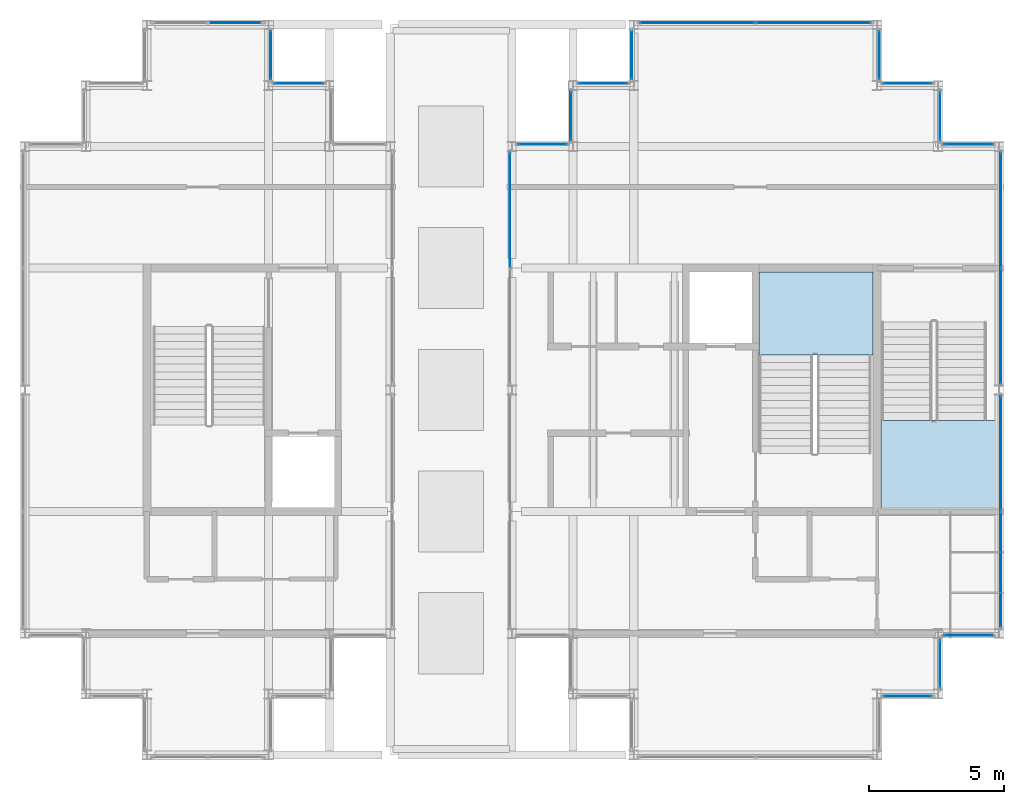
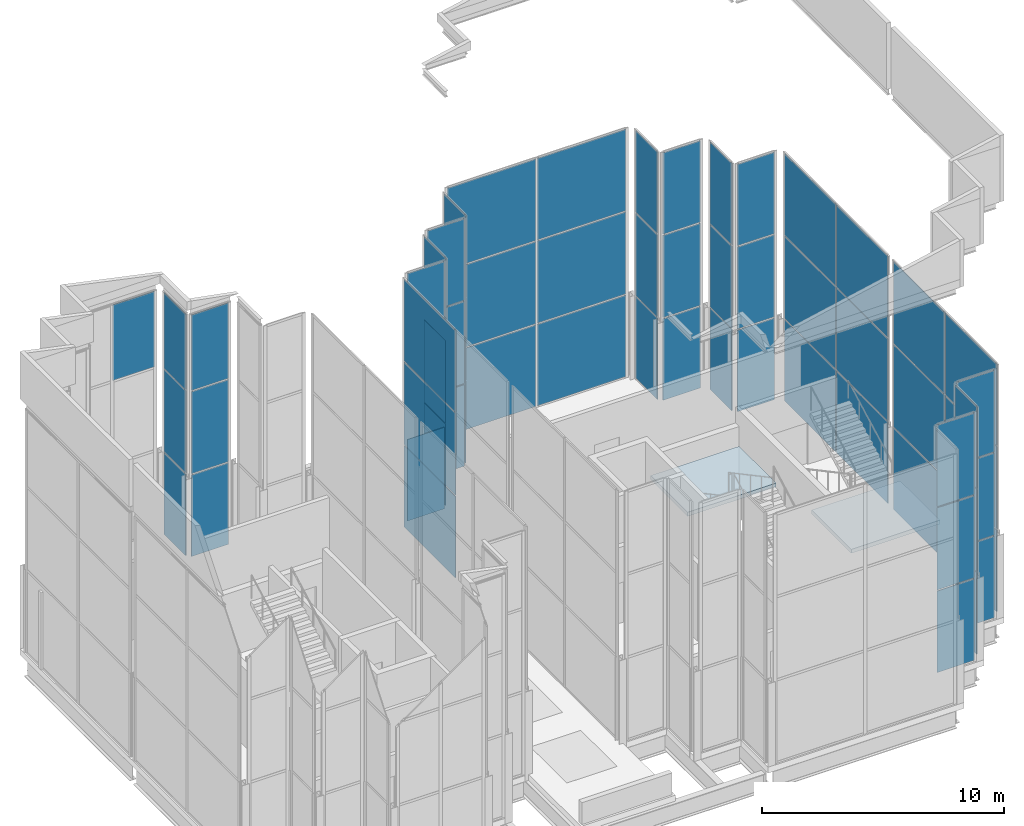
# One storey, part 13 of 23: 61 plates, 2 slabs, 20 elements without a shape of their own.
"""IFC4 building model written with IfcOpenShell, lengths in metres."""

from ifc_helpers import new_model, si_unit, direction, frame, origin, origin_2d, place, context, subcontext, project, spatial, polyline, rectangle, outline, extrude, material, layer, layer_set, type_object, element, aggregate, save


model = new_model("IFC4")

# Units and contexts
model_context = context("Model", 3, precision=1e-05, world=origin(), true_north=direction((0.0, 1.0)))
body_context = subcontext(model_context, "Body", "Model", "MODEL_VIEW")
ifc_project = project(units=[si_unit("LENGTHUNIT", "METRE"), si_unit("AREAUNIT", "SQUARE_METRE"), si_unit("VOLUMEUNIT", "CUBIC_METRE"), si_unit("PLANEANGLEUNIT", "RADIAN"), si_unit("MASSUNIT", "GRAM", prefix="KILO")], contexts=[model_context])

# Site, building, storey
site_placement = place(None, origin())
site = spatial("IfcSite", under=ifc_project, at=site_placement, CompositionType="ELEMENT")
building_placement = place(site_placement, origin())
building = spatial("IfcBuilding", under=site, at=building_placement, Name="Caravel Reach Hotel and Residences", CompositionType="ELEMENT")
storey_placement = place(building_placement, frame((0.0, 0.0, 312.800048828125)))
storey = spatial("IfcBuildingStorey", under=building, at=storey_placement, Name="L79", CompositionType="ELEMENT", Elevation=312.800048828125)

# Curtain wall, plates
ifc_material_1 = material(Name="Dark low-e glazing in black aluminium frame", Category="aluminium")
ifc_layer_1 = layer(ifc_material_1, 0.199951171875)
ifc_layer_set_1 = layer_set([ifc_layer_1], Name="CW4 Crown glazing")
curtain_wall_type = type_object("IfcCurtainWallType", Name="CW4 Crown glazing", PredefinedType="NOTDEFINED", material=ifc_layer_set_1)
curtain_wall_1_placement = place(storey_placement, origin())
curtain_wall_1 = element("IfcCurtainWall", 1, at=curtain_wall_1_placement, inside=storey, type_object=curtain_wall_type, Name="Crown glazing b0", PredefinedType="NOTDEFINED")
ifc_material_2 = material(Name="Dark laminated low-e glass", Category="glass")
ifc_layer_2 = layer(ifc_material_2, 0.031982421875)
ifc_layer_set_2 = layer_set([ifc_layer_2], Name="CW glass panel 32")
plate_type = type_object("IfcPlateType", Name="CW glass panel 32", PredefinedType="CURTAIN_PANEL", material=ifc_layer_set_2)
plate_1_placement = place(storey_placement, frame((46.125, 15.675048828125, 0.06005859375), z_axis=(0.0, 0.0, 1.0), x_axis=(1.0, 0.0, 0.0)))
plate_1 = element("IfcPlate", 2, at=plate_1_placement, type_object=plate_type, Name="CW4 panel 1.1", PredefinedType="CURTAIN_PANEL", context=body_context, shape_type="SweptSolid", body=[
    extrude(rectangle(XDim=1.780029296875, YDim=0.031982421875, at=origin_2d()), origin(), (0.0, 0.0, 1.0), 4.110107421875),
])
plate_2_placement = place(storey_placement, frame((46.125, 15.675048828125, 4.22998046875), z_axis=(0.0, 0.0, 1.0), x_axis=(1.0, 0.0, 0.0)))
plate_2 = element("IfcPlate", 3, at=plate_2_placement, type_object=plate_type, Name="CW4 panel 1.2", PredefinedType="CURTAIN_PANEL", context=body_context, shape_type="SweptSolid", body=[
    extrude(rectangle(XDim=1.780029296875, YDim=0.031982421875, at=origin_2d()), origin(), (0.0, 0.0, 1.0), 4.139892578125),
])
plate_3_placement = place(storey_placement, frame((46.125, 15.675048828125, 8.4296875), z_axis=(0.0, 0.0, 1.0), x_axis=(1.0, 0.0, 0.0)))
plate_3 = element("IfcPlate", 4, at=plate_3_placement, type_object=plate_type, Name="CW4 panel 1.3", PredefinedType="CURTAIN_PANEL", context=body_context, shape_type="SweptSolid", body=[
    extrude(rectangle(XDim=1.780029296875, YDim=0.031982421875, at=origin_2d()), origin(), (0.0, 0.0, 1.0), 4.110107421875),
])
aggregate(curtain_wall_1, [plate_1, plate_2, plate_3])

curtain_wall_2_placement = place(storey_placement, origin())
curtain_wall_2 = element("IfcCurtainWall", 5, at=curtain_wall_2_placement, inside=storey, type_object=curtain_wall_type, Name="Crown glazing b0", PredefinedType="NOTDEFINED")
plate_4_placement = place(storey_placement, frame((47.324951171875, 16.875, 0.06005859375), z_axis=(0.0, 0.0, 1.0), x_axis=(0.0, 1.0, 0.0)))
plate_4 = element("IfcPlate", 6, at=plate_4_placement, type_object=plate_type, Name="CW4 panel 1.1", PredefinedType="CURTAIN_PANEL", context=body_context, shape_type="SweptSolid", body=[
    extrude(rectangle(XDim=1.780029296875, YDim=0.031982421875, at=origin_2d()), origin(), (0.0, 0.0, 1.0), 4.110107421875),
])
plate_5_placement = place(storey_placement, frame((47.324951171875, 16.875, 4.22998046875), z_axis=(0.0, 0.0, 1.0), x_axis=(0.0, 1.0, 0.0)))
plate_5 = element("IfcPlate", 7, at=plate_5_placement, type_object=plate_type, Name="CW4 panel 1.2", PredefinedType="CURTAIN_PANEL", context=body_context, shape_type="SweptSolid", body=[
    extrude(rectangle(XDim=1.780029296875, YDim=0.031982421875, at=origin_2d()), origin(), (0.0, 0.0, 1.0), 4.139892578125),
])
plate_6_placement = place(storey_placement, frame((47.324951171875, 16.875, 8.4296875), z_axis=(0.0, 0.0, 1.0), x_axis=(0.0, 1.0, 0.0)))
plate_6 = element("IfcPlate", 8, at=plate_6_placement, type_object=plate_type, Name="CW4 panel 1.3", PredefinedType="CURTAIN_PANEL", context=body_context, shape_type="SweptSolid", body=[
    extrude(rectangle(XDim=1.780029296875, YDim=0.031982421875, at=origin_2d()), origin(), (0.0, 0.0, 1.0), 4.110107421875),
])
aggregate(curtain_wall_2, [plate_4, plate_5, plate_6])

curtain_wall_3_placement = place(storey_placement, origin())
curtain_wall_3 = element("IfcCurtainWall", 9, at=curtain_wall_3_placement, inside=storey, type_object=curtain_wall_type, Name="Crown glazing b0", PredefinedType="NOTDEFINED")
plate_7_placement = place(storey_placement, frame((48.375, 17.925048828125, 0.06005859375), z_axis=(0.0, 0.0, 1.0), x_axis=(1.0, 0.0, 0.0)))
plate_7 = element("IfcPlate", 10, at=plate_7_placement, type_object=plate_type, Name="CW4 panel 1.1", PredefinedType="CURTAIN_PANEL", context=body_context, shape_type="SweptSolid", body=[
    extrude(rectangle(XDim=1.780029296875, YDim=0.031982421875, at=origin_2d()), origin(), (0.0, 0.0, 1.0), 4.110107421875),
])
plate_8_placement = place(storey_placement, frame((48.375, 17.925048828125, 4.22998046875), z_axis=(0.0, 0.0, 1.0), x_axis=(1.0, 0.0, 0.0)))
plate_8 = element("IfcPlate", 11, at=plate_8_placement, type_object=plate_type, Name="CW4 panel 1.2", PredefinedType="CURTAIN_PANEL", context=body_context, shape_type="SweptSolid", body=[
    extrude(rectangle(XDim=1.780029296875, YDim=0.031982421875, at=origin_2d()), origin(), (0.0, 0.0, 1.0), 4.139892578125),
])
plate_9_placement = place(storey_placement, frame((48.375, 17.925048828125, 8.4296875), z_axis=(0.0, 0.0, 1.0), x_axis=(1.0, 0.0, 0.0)))
plate_9 = element("IfcPlate", 12, at=plate_9_placement, type_object=plate_type, Name="CW4 panel 1.3", PredefinedType="CURTAIN_PANEL", context=body_context, shape_type="SweptSolid", body=[
    extrude(rectangle(XDim=1.780029296875, YDim=0.031982421875, at=origin_2d()), origin(), (0.0, 0.0, 1.0), 4.110107421875),
])
aggregate(curtain_wall_3, [plate_7, plate_8, plate_9])

curtain_wall_4_placement = place(storey_placement, origin())
curtain_wall_4 = element("IfcCurtainWall", 13, at=curtain_wall_4_placement, inside=storey, type_object=curtain_wall_type, Name="Crown glazing b0", PredefinedType="NOTDEFINED")
plate_10_placement = place(storey_placement, frame((49.574951171875, 20.3525390625, 0.06005859375), z_axis=(0.0, 0.0, 1.0), x_axis=(0.0, 1.0, 0.0)))
plate_10 = element("IfcPlate", 14, at=plate_10_placement, type_object=plate_type, Name="CW4 panel 1.1", PredefinedType="CURTAIN_PANEL", context=body_context, shape_type="SweptSolid", body=[
    extrude(rectangle(XDim=4.235107421875, YDim=0.031982421875, at=origin_2d()), origin(), (0.0, 0.0, 1.0), 4.110107421875),
])
plate_11_placement = place(storey_placement, frame((49.574951171875, 20.3525390625, 4.22998046875), z_axis=(0.0, 0.0, 1.0), x_axis=(0.0, 1.0, 0.0)))
plate_11 = element("IfcPlate", 15, at=plate_11_placement, type_object=plate_type, Name="CW4 panel 1.2", PredefinedType="CURTAIN_PANEL", context=body_context, shape_type="SweptSolid", body=[
    extrude(rectangle(XDim=4.235107421875, YDim=0.031982421875, at=origin_2d()), origin(), (0.0, 0.0, 1.0), 4.139892578125),
])
plate_12_placement = place(storey_placement, frame((49.574951171875, 20.3525390625, 8.4296875), z_axis=(0.0, 0.0, 1.0), x_axis=(0.0, 1.0, 0.0)))
plate_12 = element("IfcPlate", 16, at=plate_12_placement, type_object=plate_type, Name="CW4 panel 1.3", PredefinedType="CURTAIN_PANEL", context=body_context, shape_type="SweptSolid", body=[
    extrude(rectangle(XDim=4.235107421875, YDim=0.031982421875, at=origin_2d()), origin(), (0.0, 0.0, 1.0), 4.110107421875),
])
plate_13_placement = place(storey_placement, frame((49.574951171875, 24.6474609375, 0.06005859375), z_axis=(0.0, 0.0, 1.0), x_axis=(0.0, 1.0, 0.0)))
plate_13 = element("IfcPlate", 17, at=plate_13_placement, type_object=plate_type, Name="CW4 panel 2.1", PredefinedType="CURTAIN_PANEL", context=body_context, shape_type="SweptSolid", body=[
    extrude(rectangle(XDim=4.235107421875, YDim=0.031982421875, at=origin_2d()), origin(), (0.0, 0.0, 1.0), 4.110107421875),
])
plate_14_placement = place(storey_placement, frame((49.574951171875, 24.6474609375, 4.22998046875), z_axis=(0.0, 0.0, 1.0), x_axis=(0.0, 1.0, 0.0)))
plate_14 = element("IfcPlate", 18, at=plate_14_placement, type_object=plate_type, Name="CW4 panel 2.2", PredefinedType="CURTAIN_PANEL", context=body_context, shape_type="SweptSolid", body=[
    extrude(rectangle(XDim=4.235107421875, YDim=0.031982421875, at=origin_2d()), origin(), (0.0, 0.0, 1.0), 4.139892578125),
])
plate_15_placement = place(storey_placement, frame((49.574951171875, 24.6474609375, 8.4296875), z_axis=(0.0, 0.0, 1.0), x_axis=(0.0, 1.0, 0.0)))
plate_15 = element("IfcPlate", 19, at=plate_15_placement, type_object=plate_type, Name="CW4 panel 2.3", PredefinedType="CURTAIN_PANEL", context=body_context, shape_type="SweptSolid", body=[
    extrude(rectangle(XDim=4.235107421875, YDim=0.031982421875, at=origin_2d()), origin(), (0.0, 0.0, 1.0), 4.110107421875),
])
aggregate(curtain_wall_4, [plate_10, plate_11, plate_12, plate_13, plate_14, plate_15])

curtain_wall_5_placement = place(storey_placement, origin())
curtain_wall_5 = element("IfcCurtainWall", 20, at=curtain_wall_5_placement, inside=storey, type_object=curtain_wall_type, Name="Crown glazing b1", PredefinedType="NOTDEFINED")
plate_16_placement = place(storey_placement, frame((49.574951171875, 29.3525390625, 0.06005859375), z_axis=(0.0, 0.0, 1.0), x_axis=(0.0, 1.0, 0.0)))
plate_16 = element("IfcPlate", 21, at=plate_16_placement, type_object=plate_type, Name="CW4 panel 1.1", PredefinedType="CURTAIN_PANEL", context=body_context, shape_type="SweptSolid", body=[
    extrude(rectangle(XDim=4.235107421875, YDim=0.031982421875, at=origin_2d()), origin(), (0.0, 0.0, 1.0), 4.110107421875),
])
plate_17_placement = place(storey_placement, frame((49.574951171875, 29.3525390625, 4.22998046875), z_axis=(0.0, 0.0, 1.0), x_axis=(0.0, 1.0, 0.0)))
plate_17 = element("IfcPlate", 22, at=plate_17_placement, type_object=plate_type, Name="CW4 panel 1.2", PredefinedType="CURTAIN_PANEL", context=body_context, shape_type="SweptSolid", body=[
    extrude(rectangle(XDim=4.235107421875, YDim=0.031982421875, at=origin_2d()), origin(), (0.0, 0.0, 1.0), 4.139892578125),
])
plate_18_placement = place(storey_placement, frame((49.574951171875, 29.3525390625, 8.4296875), z_axis=(0.0, 0.0, 1.0), x_axis=(0.0, 1.0, 0.0)))
plate_18 = element("IfcPlate", 23, at=plate_18_placement, type_object=plate_type, Name="CW4 panel 1.3", PredefinedType="CURTAIN_PANEL", context=body_context, shape_type="SweptSolid", body=[
    extrude(rectangle(XDim=4.235107421875, YDim=0.031982421875, at=origin_2d()), origin(), (0.0, 0.0, 1.0), 4.110107421875),
])
plate_19_placement = place(storey_placement, frame((49.574951171875, 33.6474609375, 0.06005859375), z_axis=(0.0, 0.0, 1.0), x_axis=(0.0, 1.0, 0.0)))
plate_19 = element("IfcPlate", 24, at=plate_19_placement, type_object=plate_type, Name="CW4 panel 2.1", PredefinedType="CURTAIN_PANEL", context=body_context, shape_type="SweptSolid", body=[
    extrude(rectangle(XDim=4.235107421875, YDim=0.031982421875, at=origin_2d()), origin(), (0.0, 0.0, 1.0), 4.110107421875),
])
plate_20_placement = place(storey_placement, frame((49.574951171875, 33.6474609375, 4.22998046875), z_axis=(0.0, 0.0, 1.0), x_axis=(0.0, 1.0, 0.0)))
plate_20 = element("IfcPlate", 25, at=plate_20_placement, type_object=plate_type, Name="CW4 panel 2.2", PredefinedType="CURTAIN_PANEL", context=body_context, shape_type="SweptSolid", body=[
    extrude(rectangle(XDim=4.235107421875, YDim=0.031982421875, at=origin_2d()), origin(), (0.0, 0.0, 1.0), 4.139892578125),
])
plate_21_placement = place(storey_placement, frame((49.574951171875, 33.6474609375, 8.4296875), z_axis=(0.0, 0.0, 1.0), x_axis=(0.0, 1.0, 0.0)))
plate_21 = element("IfcPlate", 26, at=plate_21_placement, type_object=plate_type, Name="CW4 panel 2.3", PredefinedType="CURTAIN_PANEL", context=body_context, shape_type="SweptSolid", body=[
    extrude(rectangle(XDim=4.235107421875, YDim=0.031982421875, at=origin_2d()), origin(), (0.0, 0.0, 1.0), 4.110107421875),
])
aggregate(curtain_wall_5, [plate_16, plate_17, plate_18, plate_19, plate_20, plate_21])

curtain_wall_6_placement = place(storey_placement, origin())
curtain_wall_6 = element("IfcCurtainWall", 27, at=curtain_wall_6_placement, inside=storey, type_object=curtain_wall_type, Name="Crown glazing b0", PredefinedType="NOTDEFINED")
plate_22_placement = place(storey_placement, frame((48.375, 36.074951171875, 0.06005859375), z_axis=(0.0, 0.0, 1.0), x_axis=(-1.0, 0.0, 0.0)))
plate_22 = element("IfcPlate", 28, at=plate_22_placement, type_object=plate_type, Name="CW4 panel 1.1", PredefinedType="CURTAIN_PANEL", context=body_context, shape_type="SweptSolid", body=[
    extrude(rectangle(XDim=1.780029296875, YDim=0.031982421875, at=origin_2d()), origin(), (0.0, 0.0, 1.0), 4.110107421875),
])
plate_23_placement = place(storey_placement, frame((48.375, 36.074951171875, 4.22998046875), z_axis=(0.0, 0.0, 1.0), x_axis=(-1.0, 0.0, 0.0)))
plate_23 = element("IfcPlate", 29, at=plate_23_placement, type_object=plate_type, Name="CW4 panel 1.2", PredefinedType="CURTAIN_PANEL", context=body_context, shape_type="SweptSolid", body=[
    extrude(rectangle(XDim=1.780029296875, YDim=0.031982421875, at=origin_2d()), origin(), (0.0, 0.0, 1.0), 4.139892578125),
])
plate_24_placement = place(storey_placement, frame((48.375, 36.074951171875, 8.4296875), z_axis=(0.0, 0.0, 1.0), x_axis=(-1.0, 0.0, 0.0)))
plate_24 = element("IfcPlate", 30, at=plate_24_placement, type_object=plate_type, Name="CW4 panel 1.3", PredefinedType="CURTAIN_PANEL", context=body_context, shape_type="SweptSolid", body=[
    extrude(rectangle(XDim=1.780029296875, YDim=0.031982421875, at=origin_2d()), origin(), (0.0, 0.0, 1.0), 4.110107421875),
])
aggregate(curtain_wall_6, [plate_22, plate_23, plate_24])

curtain_wall_7_placement = place(storey_placement, origin())
curtain_wall_7 = element("IfcCurtainWall", 31, at=curtain_wall_7_placement, inside=storey, type_object=curtain_wall_type, Name="Crown glazing b0", PredefinedType="NOTDEFINED")
plate_25_placement = place(storey_placement, frame((47.324951171875, 37.125, 0.06005859375), z_axis=(0.0, 0.0, 1.0), x_axis=(0.0, 1.0, 0.0)))
plate_25 = element("IfcPlate", 32, at=plate_25_placement, type_object=plate_type, Name="CW4 panel 1.1", PredefinedType="CURTAIN_PANEL", context=body_context, shape_type="SweptSolid", body=[
    extrude(rectangle(XDim=1.780029296875, YDim=0.031982421875, at=origin_2d()), origin(), (0.0, 0.0, 1.0), 4.110107421875),
])
plate_26_placement = place(storey_placement, frame((47.324951171875, 37.125, 4.22998046875), z_axis=(0.0, 0.0, 1.0), x_axis=(0.0, 1.0, 0.0)))
plate_26 = element("IfcPlate", 33, at=plate_26_placement, type_object=plate_type, Name="CW4 panel 1.2", PredefinedType="CURTAIN_PANEL", context=body_context, shape_type="SweptSolid", body=[
    extrude(rectangle(XDim=1.780029296875, YDim=0.031982421875, at=origin_2d()), origin(), (0.0, 0.0, 1.0), 4.139892578125),
])
plate_27_placement = place(storey_placement, frame((47.324951171875, 37.125, 8.4296875), z_axis=(0.0, 0.0, 1.0), x_axis=(0.0, 1.0, 0.0)))
plate_27 = element("IfcPlate", 34, at=plate_27_placement, type_object=plate_type, Name="CW4 panel 1.3", PredefinedType="CURTAIN_PANEL", context=body_context, shape_type="SweptSolid", body=[
    extrude(rectangle(XDim=1.780029296875, YDim=0.031982421875, at=origin_2d()), origin(), (0.0, 0.0, 1.0), 4.110107421875),
])
aggregate(curtain_wall_7, [plate_25, plate_26, plate_27])

curtain_wall_8_placement = place(storey_placement, origin())
curtain_wall_8 = element("IfcCurtainWall", 35, at=curtain_wall_8_placement, inside=storey, type_object=curtain_wall_type, Name="Crown glazing b0", PredefinedType="NOTDEFINED")
plate_28_placement = place(storey_placement, frame((46.125, 38.324951171875, 0.06005859375), z_axis=(0.0, 0.0, 1.0), x_axis=(-1.0, 0.0, 0.0)))
plate_28 = element("IfcPlate", 36, at=plate_28_placement, type_object=plate_type, Name="CW4 panel 1.1", PredefinedType="CURTAIN_PANEL", context=body_context, shape_type="SweptSolid", body=[
    extrude(rectangle(XDim=1.780029296875, YDim=0.031982421875, at=origin_2d()), origin(), (0.0, 0.0, 1.0), 4.110107421875),
])
plate_29_placement = place(storey_placement, frame((46.125, 38.324951171875, 4.22998046875), z_axis=(0.0, 0.0, 1.0), x_axis=(-1.0, 0.0, 0.0)))
plate_29 = element("IfcPlate", 37, at=plate_29_placement, type_object=plate_type, Name="CW4 panel 1.2", PredefinedType="CURTAIN_PANEL", context=body_context, shape_type="SweptSolid", body=[
    extrude(rectangle(XDim=1.780029296875, YDim=0.031982421875, at=origin_2d()), origin(), (0.0, 0.0, 1.0), 4.139892578125),
])
plate_30_placement = place(storey_placement, frame((46.125, 38.324951171875, 8.4296875), z_axis=(0.0, 0.0, 1.0), x_axis=(-1.0, 0.0, 0.0)))
plate_30 = element("IfcPlate", 38, at=plate_30_placement, type_object=plate_type, Name="CW4 panel 1.3", PredefinedType="CURTAIN_PANEL", context=body_context, shape_type="SweptSolid", body=[
    extrude(rectangle(XDim=1.780029296875, YDim=0.031982421875, at=origin_2d()), origin(), (0.0, 0.0, 1.0), 4.110107421875),
])
aggregate(curtain_wall_8, [plate_28, plate_29, plate_30])

curtain_wall_9_placement = place(storey_placement, origin())
curtain_wall_9 = element("IfcCurtainWall", 39, at=curtain_wall_9_placement, inside=storey, type_object=curtain_wall_type, Name="Crown glazing b0", PredefinedType="NOTDEFINED")
plate_31_placement = place(storey_placement, frame((45.074951171875, 39.375, 0.06005859375), z_axis=(0.0, 0.0, 1.0), x_axis=(0.0, 1.0, 0.0)))
plate_31 = element("IfcPlate", 40, at=plate_31_placement, type_object=plate_type, Name="CW4 panel 1.1", PredefinedType="CURTAIN_PANEL", context=body_context, shape_type="SweptSolid", body=[
    extrude(rectangle(XDim=1.780029296875, YDim=0.031982421875, at=origin_2d()), origin(), (0.0, 0.0, 1.0), 4.110107421875),
])
plate_32_placement = place(storey_placement, frame((45.074951171875, 39.375, 4.22998046875), z_axis=(0.0, 0.0, 1.0), x_axis=(0.0, 1.0, 0.0)))
plate_32 = element("IfcPlate", 41, at=plate_32_placement, type_object=plate_type, Name="CW4 panel 1.2", PredefinedType="CURTAIN_PANEL", context=body_context, shape_type="SweptSolid", body=[
    extrude(rectangle(XDim=1.780029296875, YDim=0.031982421875, at=origin_2d()), origin(), (0.0, 0.0, 1.0), 4.139892578125),
])
plate_33_placement = place(storey_placement, frame((45.074951171875, 39.375, 8.4296875), z_axis=(0.0, 0.0, 1.0), x_axis=(0.0, 1.0, 0.0)))
plate_33 = element("IfcPlate", 42, at=plate_33_placement, type_object=plate_type, Name="CW4 panel 1.3", PredefinedType="CURTAIN_PANEL", context=body_context, shape_type="SweptSolid", body=[
    extrude(rectangle(XDim=1.780029296875, YDim=0.031982421875, at=origin_2d()), origin(), (0.0, 0.0, 1.0), 4.110107421875),
])
aggregate(curtain_wall_9, [plate_31, plate_32, plate_33])

curtain_wall_10_placement = place(storey_placement, origin())
curtain_wall_10 = element("IfcCurtainWall", 43, at=curtain_wall_10_placement, inside=storey, type_object=curtain_wall_type, Name="Crown glazing b0", PredefinedType="NOTDEFINED")
plate_34_placement = place(storey_placement, frame((42.6474609375, 40.574951171875, 0.06005859375), z_axis=(0.0, 0.0, 1.0), x_axis=(-1.0, 0.0, 0.0)))
plate_34 = element("IfcPlate", 44, at=plate_34_placement, type_object=plate_type, Name="CW4 panel 1.1", PredefinedType="CURTAIN_PANEL", context=body_context, shape_type="SweptSolid", body=[
    extrude(rectangle(XDim=4.235107421875, YDim=0.031982421875, at=origin_2d()), origin(), (0.0, 0.0, 1.0), 4.110107421875),
])
plate_35_placement = place(storey_placement, frame((42.6474609375, 40.574951171875, 4.22998046875), z_axis=(0.0, 0.0, 1.0), x_axis=(-1.0, 0.0, 0.0)))
plate_35 = element("IfcPlate", 45, at=plate_35_placement, type_object=plate_type, Name="CW4 panel 1.2", PredefinedType="CURTAIN_PANEL", context=body_context, shape_type="SweptSolid", body=[
    extrude(rectangle(XDim=4.235107421875, YDim=0.031982421875, at=origin_2d()), origin(), (0.0, 0.0, 1.0), 4.139892578125),
])
plate_36_placement = place(storey_placement, frame((42.6474609375, 40.574951171875, 8.4296875), z_axis=(0.0, 0.0, 1.0), x_axis=(-1.0, 0.0, 0.0)))
plate_36 = element("IfcPlate", 46, at=plate_36_placement, type_object=plate_type, Name="CW4 panel 1.3", PredefinedType="CURTAIN_PANEL", context=body_context, shape_type="SweptSolid", body=[
    extrude(rectangle(XDim=4.235107421875, YDim=0.031982421875, at=origin_2d()), origin(), (0.0, 0.0, 1.0), 4.110107421875),
])
plate_37_placement = place(storey_placement, frame((38.3525390625, 40.574951171875, 0.06005859375), z_axis=(0.0, 0.0, 1.0), x_axis=(-1.0, 0.0, 0.0)))
plate_37 = element("IfcPlate", 47, at=plate_37_placement, type_object=plate_type, Name="CW4 panel 2.1", PredefinedType="CURTAIN_PANEL", context=body_context, shape_type="SweptSolid", body=[
    extrude(rectangle(XDim=4.235107421875, YDim=0.031982421875, at=origin_2d()), origin(), (0.0, 0.0, 1.0), 4.110107421875),
])
plate_38_placement = place(storey_placement, frame((38.3525390625, 40.574951171875, 4.22998046875), z_axis=(0.0, 0.0, 1.0), x_axis=(-1.0, 0.0, 0.0)))
plate_38 = element("IfcPlate", 48, at=plate_38_placement, type_object=plate_type, Name="CW4 panel 2.2", PredefinedType="CURTAIN_PANEL", context=body_context, shape_type="SweptSolid", body=[
    extrude(rectangle(XDim=4.235107421875, YDim=0.031982421875, at=origin_2d()), origin(), (0.0, 0.0, 1.0), 4.139892578125),
])
plate_39_placement = place(storey_placement, frame((38.3525390625, 40.574951171875, 8.4296875), z_axis=(0.0, 0.0, 1.0), x_axis=(-1.0, 0.0, 0.0)))
plate_39 = element("IfcPlate", 49, at=plate_39_placement, type_object=plate_type, Name="CW4 panel 2.3", PredefinedType="CURTAIN_PANEL", context=body_context, shape_type="SweptSolid", body=[
    extrude(rectangle(XDim=4.235107421875, YDim=0.031982421875, at=origin_2d()), origin(), (0.0, 0.0, 1.0), 4.110107421875),
])
aggregate(curtain_wall_10, [plate_34, plate_35, plate_36, plate_37, plate_38, plate_39])

curtain_wall_11_placement = place(storey_placement, origin())
curtain_wall_11 = element("IfcCurtainWall", 50, at=curtain_wall_11_placement, inside=storey, type_object=curtain_wall_type, Name="Crown glazing b0", PredefinedType="NOTDEFINED")
plate_40_placement = place(storey_placement, frame((35.925048828125, 39.375, 0.06005859375), z_axis=(0.0, 0.0, 1.0), x_axis=(0.0, -1.0, 0.0)))
plate_40 = element("IfcPlate", 51, at=plate_40_placement, type_object=plate_type, Name="CW4 panel 1.1", PredefinedType="CURTAIN_PANEL", context=body_context, shape_type="SweptSolid", body=[
    extrude(rectangle(XDim=1.780029296875, YDim=0.031982421875, at=origin_2d()), origin(), (0.0, 0.0, 1.0), 4.110107421875),
])
plate_41_placement = place(storey_placement, frame((35.925048828125, 39.375, 4.22998046875), z_axis=(0.0, 0.0, 1.0), x_axis=(0.0, -1.0, 0.0)))
plate_41 = element("IfcPlate", 52, at=plate_41_placement, type_object=plate_type, Name="CW4 panel 1.2", PredefinedType="CURTAIN_PANEL", context=body_context, shape_type="SweptSolid", body=[
    extrude(rectangle(XDim=1.780029296875, YDim=0.031982421875, at=origin_2d()), origin(), (0.0, 0.0, 1.0), 4.139892578125),
])
plate_42_placement = place(storey_placement, frame((35.925048828125, 39.375, 8.4296875), z_axis=(0.0, 0.0, 1.0), x_axis=(0.0, -1.0, 0.0)))
plate_42 = element("IfcPlate", 53, at=plate_42_placement, type_object=plate_type, Name="CW4 panel 1.3", PredefinedType="CURTAIN_PANEL", context=body_context, shape_type="SweptSolid", body=[
    extrude(rectangle(XDim=1.780029296875, YDim=0.031982421875, at=origin_2d()), origin(), (0.0, 0.0, 1.0), 4.110107421875),
])
aggregate(curtain_wall_11, [plate_40, plate_41, plate_42])

curtain_wall_12_placement = place(storey_placement, origin())
curtain_wall_12 = element("IfcCurtainWall", 54, at=curtain_wall_12_placement, inside=storey, type_object=curtain_wall_type, Name="Crown glazing b0", PredefinedType="NOTDEFINED")
plate_43_placement = place(storey_placement, frame((34.875, 38.324951171875, 0.06005859375), z_axis=(0.0, 0.0, 1.0), x_axis=(-1.0, 0.0, 0.0)))
plate_43 = element("IfcPlate", 55, at=plate_43_placement, type_object=plate_type, Name="CW4 panel 1.1", PredefinedType="CURTAIN_PANEL", context=body_context, shape_type="SweptSolid", body=[
    extrude(rectangle(XDim=1.780029296875, YDim=0.031982421875, at=origin_2d()), origin(), (0.0, 0.0, 1.0), 4.110107421875),
])
plate_44_placement = place(storey_placement, frame((34.875, 38.324951171875, 4.22998046875), z_axis=(0.0, 0.0, 1.0), x_axis=(-1.0, 0.0, 0.0)))
plate_44 = element("IfcPlate", 56, at=plate_44_placement, type_object=plate_type, Name="CW4 panel 1.2", PredefinedType="CURTAIN_PANEL", context=body_context, shape_type="SweptSolid", body=[
    extrude(rectangle(XDim=1.780029296875, YDim=0.031982421875, at=origin_2d()), origin(), (0.0, 0.0, 1.0), 4.139892578125),
])
plate_45_placement = place(storey_placement, frame((34.875, 38.324951171875, 8.4296875), z_axis=(0.0, 0.0, 1.0), x_axis=(-1.0, 0.0, 0.0)))
plate_45 = element("IfcPlate", 57, at=plate_45_placement, type_object=plate_type, Name="CW4 panel 1.3", PredefinedType="CURTAIN_PANEL", context=body_context, shape_type="SweptSolid", body=[
    extrude(rectangle(XDim=1.780029296875, YDim=0.031982421875, at=origin_2d()), origin(), (0.0, 0.0, 1.0), 4.110107421875),
])
aggregate(curtain_wall_12, [plate_43, plate_44, plate_45])

curtain_wall_13_placement = place(storey_placement, origin())
curtain_wall_13 = element("IfcCurtainWall", 58, at=curtain_wall_13_placement, inside=storey, type_object=curtain_wall_type, Name="Crown glazing b0", PredefinedType="NOTDEFINED")
plate_46_placement = place(storey_placement, frame((33.675048828125, 37.125, 0.06005859375), z_axis=(0.0, 0.0, 1.0), x_axis=(0.0, -1.0, 0.0)))
plate_46 = element("IfcPlate", 59, at=plate_46_placement, type_object=plate_type, Name="CW4 panel 1.1", PredefinedType="CURTAIN_PANEL", context=body_context, shape_type="SweptSolid", body=[
    extrude(rectangle(XDim=1.780029296875, YDim=0.031982421875, at=origin_2d()), origin(), (0.0, 0.0, 1.0), 4.110107421875),
])
plate_47_placement = place(storey_placement, frame((33.675048828125, 37.125, 4.22998046875), z_axis=(0.0, 0.0, 1.0), x_axis=(0.0, -1.0, 0.0)))
plate_47 = element("IfcPlate", 60, at=plate_47_placement, type_object=plate_type, Name="CW4 panel 1.2", PredefinedType="CURTAIN_PANEL", context=body_context, shape_type="SweptSolid", body=[
    extrude(rectangle(XDim=1.780029296875, YDim=0.031982421875, at=origin_2d()), origin(), (0.0, 0.0, 1.0), 4.139892578125),
])
plate_48_placement = place(storey_placement, frame((33.675048828125, 37.125, 8.4296875), z_axis=(0.0, 0.0, 1.0), x_axis=(0.0, -1.0, 0.0)))
plate_48 = element("IfcPlate", 61, at=plate_48_placement, type_object=plate_type, Name="CW4 panel 1.3", PredefinedType="CURTAIN_PANEL", context=body_context, shape_type="SweptSolid", body=[
    extrude(rectangle(XDim=1.780029296875, YDim=0.031982421875, at=origin_2d()), origin(), (0.0, 0.0, 1.0), 4.110107421875),
])
aggregate(curtain_wall_13, [plate_46, plate_47, plate_48])

curtain_wall_14_placement = place(storey_placement, origin())
curtain_wall_14 = element("IfcCurtainWall", 62, at=curtain_wall_14_placement, inside=storey, type_object=curtain_wall_type, Name="Crown glazing b0", PredefinedType="NOTDEFINED")
plate_49_placement = place(storey_placement, frame((32.625, 36.074951171875, 0.06005859375), z_axis=(0.0, 0.0, 1.0), x_axis=(-1.0, 0.0, 0.0)))
plate_49 = element("IfcPlate", 63, at=plate_49_placement, type_object=plate_type, Name="CW4 panel 1.1", PredefinedType="CURTAIN_PANEL", context=body_context, shape_type="SweptSolid", body=[
    extrude(rectangle(XDim=1.780029296875, YDim=0.031982421875, at=origin_2d()), origin(), (0.0, 0.0, 1.0), 4.110107421875),
])
plate_50_placement = place(storey_placement, frame((32.625, 36.074951171875, 4.22998046875), z_axis=(0.0, 0.0, 1.0), x_axis=(-1.0, 0.0, 0.0)))
plate_50 = element("IfcPlate", 64, at=plate_50_placement, type_object=plate_type, Name="CW4 panel 1.2", PredefinedType="CURTAIN_PANEL", context=body_context, shape_type="SweptSolid", body=[
    extrude(rectangle(XDim=1.780029296875, YDim=0.031982421875, at=origin_2d()), origin(), (0.0, 0.0, 1.0), 4.139892578125),
])
plate_51_placement = place(storey_placement, frame((32.625, 36.074951171875, 8.4296875), z_axis=(0.0, 0.0, 1.0), x_axis=(-1.0, 0.0, 0.0)))
plate_51 = element("IfcPlate", 65, at=plate_51_placement, type_object=plate_type, Name="CW4 panel 1.3", PredefinedType="CURTAIN_PANEL", context=body_context, shape_type="SweptSolid", body=[
    extrude(rectangle(XDim=1.780029296875, YDim=0.031982421875, at=origin_2d()), origin(), (0.0, 0.0, 1.0), 4.110107421875),
])
aggregate(curtain_wall_14, [plate_49, plate_50, plate_51])

curtain_wall_15_placement = place(storey_placement, origin())
curtain_wall_15 = element("IfcCurtainWall", 66, at=curtain_wall_15_placement, inside=storey, type_object=curtain_wall_type, Name="Crown glazing b0", PredefinedType="NOTDEFINED")
plate_52_placement = place(storey_placement, frame((31.425048828125, 33.6474609375, 0.06005859375), z_axis=(0.0, 0.0, 1.0), x_axis=(0.0, -1.0, 0.0)))
plate_52 = element("IfcPlate", 67, at=plate_52_placement, type_object=plate_type, Name="CW4 panel 1.1", PredefinedType="CURTAIN_PANEL", context=body_context, shape_type="SweptSolid", body=[
    extrude(rectangle(XDim=4.235107421875, YDim=0.031982421875, at=origin_2d()), origin(), (0.0, 0.0, 1.0), 4.110107421875),
])
plate_53_placement = place(storey_placement, frame((31.425048828125, 33.6474609375, 4.22998046875), z_axis=(0.0, 0.0, 1.0), x_axis=(0.0, -1.0, 0.0)))
plate_53 = element("IfcPlate", 68, at=plate_53_placement, type_object=plate_type, Name="CW4 panel 1.2", PredefinedType="CURTAIN_PANEL", context=body_context, shape_type="SweptSolid", body=[
    extrude(rectangle(XDim=4.235107421875, YDim=0.031982421875, at=origin_2d()), origin(), (0.0, 0.0, 1.0), 4.139892578125),
])
plate_54_placement = place(storey_placement, frame((31.425048828125, 33.6474609375, 8.4296875), z_axis=(0.0, 0.0, 1.0), x_axis=(0.0, -1.0, 0.0)))
plate_54 = element("IfcPlate", 69, at=plate_54_placement, type_object=plate_type, Name="CW4 panel 1.3", PredefinedType="CURTAIN_PANEL", context=body_context, shape_type="SweptSolid", body=[
    extrude(rectangle(XDim=4.235107421875, YDim=0.031982421875, at=origin_2d()), origin(), (0.0, 0.0, 1.0), 4.110107421875),
])
aggregate(curtain_wall_15, [plate_52, plate_53, plate_54])

curtain_wall_16_placement = place(storey_placement, origin())
curtain_wall_16 = element("IfcCurtainWall", 70, at=curtain_wall_16_placement, inside=storey, type_object=curtain_wall_type, Name="Crown glazing b0", PredefinedType="NOTDEFINED")
plate_55_placement = place(storey_placement, frame((23.625, 38.324951171875, 0.06005859375), z_axis=(0.0, 0.0, 1.0), x_axis=(-1.0, 0.0, 0.0)))
plate_55 = element("IfcPlate", 71, at=plate_55_placement, type_object=plate_type, Name="CW4 panel 1.1", PredefinedType="CURTAIN_PANEL", context=body_context, shape_type="SweptSolid", body=[
    extrude(rectangle(XDim=1.780029296875, YDim=0.031982421875, at=origin_2d()), origin(), (0.0, 0.0, 1.0), 4.110107421875),
])
plate_56_placement = place(storey_placement, frame((23.625, 38.324951171875, 4.22998046875), z_axis=(0.0, 0.0, 1.0), x_axis=(-1.0, 0.0, 0.0)))
plate_56 = element("IfcPlate", 72, at=plate_56_placement, type_object=plate_type, Name="CW4 panel 1.2", PredefinedType="CURTAIN_PANEL", context=body_context, shape_type="SweptSolid", body=[
    extrude(rectangle(XDim=1.780029296875, YDim=0.031982421875, at=origin_2d()), origin(), (0.0, 0.0, 1.0), 4.139892578125),
])
plate_57_placement = place(storey_placement, frame((23.625, 38.324951171875, 8.429931640625), z_axis=(0.0, 0.0, 1.0), x_axis=(-1.0, 0.0, 0.0)))
plate_57 = element("IfcPlate", 73, at=plate_57_placement, type_object=plate_type, Name="CW4 panel 1.3", PredefinedType="CURTAIN_PANEL", context=body_context, shape_type="SweptSolid", body=[
    extrude(rectangle(XDim=1.780029296875, YDim=0.031982421875, at=origin_2d()), origin(), (0.0, 0.0, 1.0), 3.81005859375),
])
aggregate(curtain_wall_16, [plate_55, plate_56, plate_57])

curtain_wall_17_placement = place(storey_placement, origin())
curtain_wall_17 = element("IfcCurtainWall", 74, at=curtain_wall_17_placement, inside=storey, type_object=curtain_wall_type, Name="Crown glazing b0", PredefinedType="NOTDEFINED")
plate_58_placement = place(storey_placement, frame((22.574951171875, 39.375, 0.06005859375), z_axis=(0.0, 0.0, 1.0), x_axis=(0.0, 1.0, 0.0)))
plate_58 = element("IfcPlate", 75, at=plate_58_placement, type_object=plate_type, Name="CW4 panel 1.1", PredefinedType="CURTAIN_PANEL", context=body_context, shape_type="SweptSolid", body=[
    extrude(rectangle(XDim=1.780029296875, YDim=0.031982421875, at=origin_2d()), origin(), (0.0, 0.0, 1.0), 4.110107421875),
])
plate_59_placement = place(storey_placement, frame((22.574951171875, 39.375, 4.22998046875), z_axis=(0.0, 0.0, 1.0), x_axis=(0.0, 1.0, 0.0)))
plate_59 = element("IfcPlate", 76, at=plate_59_placement, type_object=plate_type, Name="CW4 panel 1.2", PredefinedType="CURTAIN_PANEL", context=body_context, shape_type="SweptSolid", body=[
    extrude(rectangle(XDim=1.780029296875, YDim=0.031982421875, at=origin_2d()), origin(), (0.0, 0.0, 1.0), 4.139892578125),
])
plate_60_placement = place(storey_placement, frame((22.574951171875, 39.375, 8.429931640625), z_axis=(0.0, 0.0, 1.0), x_axis=(0.0, 1.0, 0.0)))
plate_60 = element("IfcPlate", 77, at=plate_60_placement, type_object=plate_type, Name="CW4 panel 1.3", PredefinedType="CURTAIN_PANEL", context=body_context, shape_type="SweptSolid", body=[
    extrude(rectangle(XDim=1.780029296875, YDim=0.031982421875, at=origin_2d()), origin(), (0.0, 0.0, 1.0), 3.81005859375),
])
aggregate(curtain_wall_17, [plate_58, plate_59, plate_60])

# Curtain wall, plate
curtain_wall_18_placement = place(storey_placement, origin())
curtain_wall_18 = element("IfcCurtainWall", 78, at=curtain_wall_18_placement, inside=storey, type_object=curtain_wall_type, Name="Crown glazing b0", PredefinedType="NOTDEFINED")
plate_61_placement = place(storey_placement, frame((21.2724609375, 40.574951171875, 8.429931640625), z_axis=(0.0, 0.0, 1.0), x_axis=(-1.0, 0.0, 0.0)))
plate_61 = element("IfcPlate", 79, at=plate_61_placement, type_object=plate_type, Name="CW4 panel 1.3", PredefinedType="CURTAIN_PANEL", context=body_context, shape_type="SweptSolid", body=[
    extrude(rectangle(XDim=1.985107421875, YDim=0.031982421875, at=origin_2d()), origin(), (0.0, 0.0, 1.0), 3.81005859375),
])
aggregate(curtain_wall_18, [plate_61])

# Stair, slab
ifc_material_3 = material(Name="Concrete C40", Category="concrete")
stair_type = type_object("IfcStairType", Name="Core stair", PredefinedType="HALF_TURN_STAIR", material=ifc_material_3)
stair_1_placement = place(storey_placement, origin())
stair_1 = element("IfcStair", 80, at=stair_1_placement, inside=storey, type_object=stair_type, Name="L79 Exit stair B", PredefinedType="HALF_TURN_STAIR")
ifc_material_4 = material(Name="Concrete C40", Category="concrete")
ifc_layer_3 = layer(ifc_material_4, 0.199951171875)
ifc_layer_set_3 = layer_set([ifc_layer_3], Name="Core stair landing")
slab_type = type_object("IfcSlabType", Name="Core stair landing", PredefinedType="LANDING", material=ifc_layer_set_3)
slab_1_placement = place(storey_placement, frame((0.0, 0.0, 1.89990234375)))
slab_1 = element("IfcSlab", 81, at=slab_1_placement, type_object=slab_type, Name="ST-B landing 1", PredefinedType="LANDING", context=body_context, shape_type="SweptSolid", body=[
    extrude(outline(polyline([(44.85009765625, 28.2900390625), (44.85009765625, 31.35009765625), (40.625, 31.35009765625), (40.625, 28.2900390625), (44.85009765625, 28.2900390625)])), origin(), (0.0, 0.0, 1.0), 0.199951171875),
])
aggregate(stair_1, [slab_1])

stair_2_placement = place(storey_placement, origin())
stair_2 = element("IfcStair", 82, at=stair_2_placement, inside=storey, type_object=stair_type, Name="L79 Exit stair C", PredefinedType="HALF_TURN_STAIR")
slab_2_placement = place(storey_placement, frame((0.0, 0.0, 1.89990234375)))
slab_2 = element("IfcSlab", 83, at=slab_2_placement, type_object=slab_type, Name="ST-C landing 1", PredefinedType="LANDING", context=body_context, shape_type="SweptSolid", body=[
    extrude(outline(polyline([(45.14990234375, 25.875), (45.14990234375, 22.60009765625), (49.3701171875, 22.60009765625), (49.3701171875, 25.875), (45.14990234375, 25.875)])), origin(), (0.0, 0.0, 1.0), 0.199951171875),
])
aggregate(stair_2, [slab_2])

save(model, "model.ifc")
